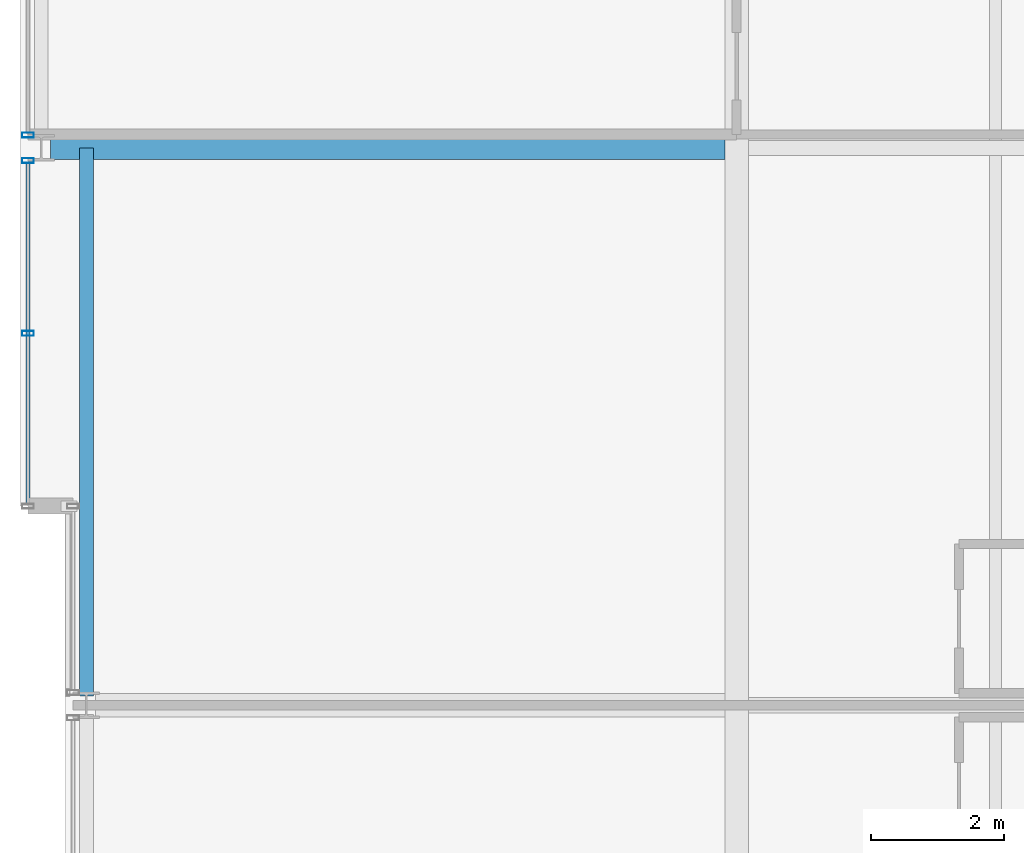
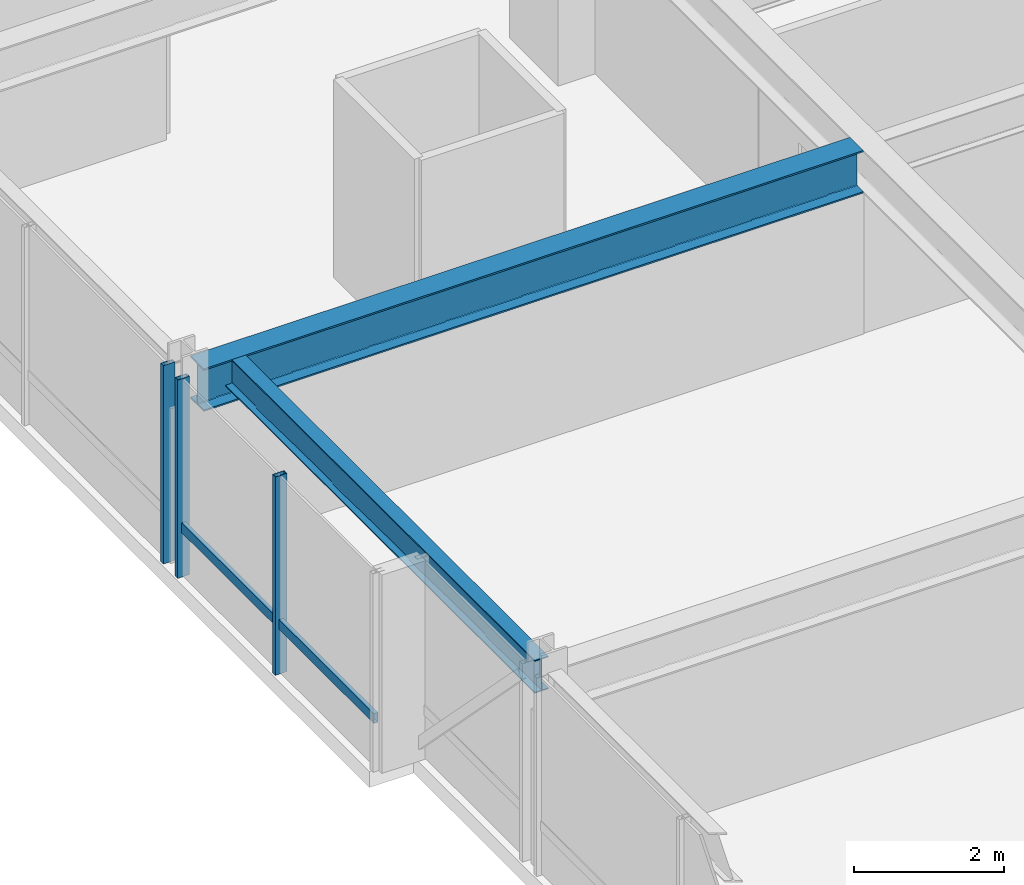
# One storey, part 16 of 33: 4 members, 2 beams, 2 elements without a shape of their own.
"""IFC4 building model written with IfcOpenShell, lengths in metres."""

import ifcopenshell
import ifcopenshell.guid

model = None  # the IFC model being written
_history = None  # IfcOwnerHistory: only IFC2X3 demands one
_inside = {}  # id of a spatial element -> (the spatial element, [elements in it])
_under = {}  # id of a project, library or spatial element -> (it, [spatial elements below it])
_declared = {}  # id of a project -> (the project, [libraries it declares])
_typed = {}  # id of a type object -> (the type object, [elements of that type])
_made_of = {}  # id of a material, layer set ... -> (it, [elements and type objects made of it])


def new_model(schema):
    """Start an empty IFC model of exactly this schema.

    Asked for "IFC4X3", IfcOpenShell would pick the latest addendum, in which some entities
    have other attributes; the version numbers below select the first issue.
    IFC2X3 requires an IfcOwnerHistory on every rooted entity: one is made here for all.
    """
    global model, _history
    if schema == "IFC4X3":
        model = ifcopenshell.file(schema_version=(4, 3, 0, 0))
    else:
        model = ifcopenshell.file(schema=schema)
    _inside.clear()
    _under.clear()
    _declared.clear()
    _typed.clear()
    _made_of.clear()
    _history = None
    if model.schema == "IFC2X3":
        org = make("IfcOrganization", Name="unknown")
        user = make(
            "IfcPersonAndOrganization",
            ThePerson=make("IfcPerson", FamilyName="unknown"),
            TheOrganization=org,
        )
        app = make(
            "IfcApplication",
            ApplicationDeveloper=org,
            Version="unknown",
            ApplicationFullName="unknown",
            ApplicationIdentifier="unknown",
        )
        _history = make(
            "IfcOwnerHistory",
            OwningUser=user,
            OwningApplication=app,
            ChangeAction="ADDED",
            CreationDate=0,
        )
    return model


def make(cls, **values):
    """One entity of the class cls with the attributes given. An attribute that is None is left unset."""
    return model.create_entity(
        cls, **{name: value for name, value in values.items() if value is not None}
    )


def rooted(cls, **values):
    """An entity with a GlobalId (a new one), such as an element, a storey or a relation."""
    return make(cls, GlobalId=ifcopenshell.guid.new(), OwnerHistory=_history, **values)


def si_unit(unit_type, name, prefix=None):
    """IfcSIUnit, for example si_unit("LENGTHUNIT", "METRE", prefix="MILLI")."""
    return make("IfcSIUnit", UnitType=unit_type, Prefix=prefix, Name=name)


def assignment(units):
    """IfcUnitAssignment: the units of a project."""
    return None if units is None else make("IfcUnitAssignment", Units=units)


def point(xyz):
    """IfcCartesianPoint."""
    return None if xyz is None else make("IfcCartesianPoint", Coordinates=xyz)


def direction(xyz):
    """IfcDirection."""
    return None if xyz is None else make("IfcDirection", DirectionRatios=xyz)


def frame(location, z_axis=None, x_axis=None):
    """IfcAxis2Placement3D, a coordinate frame: its origin and axes. An axis left out is left unset."""
    return make(
        "IfcAxis2Placement3D",
        Location=point(location),
        Axis=direction(z_axis),
        RefDirection=direction(x_axis),
    )


def frame_2d(location, x_axis=None):
    """IfcAxis2Placement2D, a coordinate frame in the plane: its origin and x axis."""
    return make(
        "IfcAxis2Placement2D", Location=point(location), RefDirection=direction(x_axis)
    )


def origin():
    """The frame at (0, 0, 0) with its axes left unset."""
    return frame((0.0, 0.0, 0.0))


def origin_2d():
    """The frame at (0, 0) in the plane with its x axis left unset."""
    return frame_2d((0.0, 0.0))


def place(relative_to, where):
    """IfcLocalPlacement: puts the frame where relative to a parent placement (None: the world)."""
    return make(
        "IfcLocalPlacement", PlacementRelTo=relative_to, RelativePlacement=where
    )


def context(
    kind, dimensions, precision=None, world=None, true_north=None, identifier=None
):
    """IfcGeometricRepresentationContext, for example the 3D "Model" context."""
    return make(
        "IfcGeometricRepresentationContext",
        ContextIdentifier=identifier,
        ContextType=kind,
        CoordinateSpaceDimension=dimensions,
        Precision=precision,
        WorldCoordinateSystem=world,
        TrueNorth=true_north,
    )


def subcontext(parent, identifier, kind, view, scale=None):
    """IfcGeometricRepresentationSubContext, for example "Body" below "Model"."""
    return make(
        "IfcGeometricRepresentationSubContext",
        ContextIdentifier=identifier,
        ContextType=kind,
        ParentContext=parent,
        TargetScale=scale,
        TargetView=view,
    )


def project(units=None, contexts=None):
    """IfcProject with its units and contexts."""
    return rooted(
        "IfcProject",
        Name="project",
        RepresentationContexts=contexts,
        UnitsInContext=assignment(units),
    )


def spatial(cls, under=None, at=None, **own):
    """A site, building, storey or space (cls), placed at a placement, below another one or the project."""
    s = rooted(cls, ObjectPlacement=at, **own)
    if under is not None:
        _under.setdefault(under.id(), (under, []))[1].append(s)
    return s


def profile(cls, at=None, kind="AREA", **sizes):
    """A parametric profile (cls). Its sizes go by their IFC names, for example OverallWidth=200.0."""
    return make(cls, ProfileType=kind, Position=at, **sizes)


def hollow_rectangle(**sizes):
    """IfcRectangleHollowProfileDef."""
    return profile("IfcRectangleHollowProfileDef", **sizes)


def i_section(**sizes):
    """IfcIShapeProfileDef."""
    return profile("IfcIShapeProfileDef", **sizes)


def extrude(swept, where, along, depth):
    """IfcExtrudedAreaSolid: the profile swept, set in the frame where, extruded along a direction by depth."""
    return make(
        "IfcExtrudedAreaSolid",
        SweptArea=swept,
        Position=where,
        ExtrudedDirection=direction(along),
        Depth=depth,
    )


def shape(context_of_items, identifier, shape_type, items):
    """IfcShapeRepresentation: the items that make up one representation, for example the "Body"."""
    return make(
        "IfcShapeRepresentation",
        ContextOfItems=context_of_items,
        RepresentationIdentifier=identifier,
        RepresentationType=shape_type,
        Items=items,
    )


def material(Name=None, Category=None):
    """IfcMaterial."""
    return make("IfcMaterial", Name=Name, Category=Category)


def layer(
    of_material, thickness, ventilated=None, Name=None, Category=None, Priority=None
):
    """IfcMaterialLayer: one layer of a wall or slab, of a material (None: an air gap)."""
    return make(
        "IfcMaterialLayer",
        Material=of_material,
        LayerThickness=thickness,
        IsVentilated=ventilated,
        Name=Name,
        Category=Category,
        Priority=Priority,
    )


def layer_set(layers, Name=None):
    """IfcMaterialLayerSet."""
    return make("IfcMaterialLayerSet", MaterialLayers=layers, LayerSetName=Name)


def material_profile(
    of_material, cross_section, Name=None, Category=None, Priority=None
):
    """IfcMaterialProfile: a cross section and its material."""
    return make(
        "IfcMaterialProfile",
        Name=Name,
        Material=of_material,
        Profile=cross_section,
        Priority=Priority,
        Category=Category,
    )


def profile_set(profiles, Name=None, composite=None):
    """IfcMaterialProfileSet."""
    return make(
        "IfcMaterialProfileSet",
        Name=Name,
        MaterialProfiles=profiles,
        CompositeProfile=composite,
    )


def made_of(thing, what):
    """Note that an element or type object is made of a material, layer set ...; save() writes the relation."""
    if what is not None:
        _made_of.setdefault(what.id(), (what, []))[1].append(thing)
    return thing


def type_object(cls, material=None, **own):
    """A type object (cls), such as IfcWallType, which elements share."""
    return made_of(rooted(cls, **own), material)


def element(
    cls,
    number,
    at=None,
    inside=None,
    cuts=None,
    type_object=None,
    material=None,
    context=None,
    identifier="Body",
    shape_type=None,
    held_by="IfcProductDefinitionShape",
    body=None,
    shapes=None,
    **own,
):
    """One element of the class cls, such as IfcWall. Its Tag is "e" and its number.

    at: its placement. inside: the storey or other place that contains it. cuts: it is an
    opening in that element (IfcRelVoidsElement). A single representation is given by context,
    identifier, shape_type and body (its items); several are given by shapes. held_by: the class
    of the entity that holds the representations. save() writes the other relations.
    """
    e = rooted(cls, Tag="e%d" % number, ObjectPlacement=at, **own)
    if body is not None:
        shapes = [shape(context, identifier, shape_type, body)]
    if shapes is not None:
        e.Representation = make(held_by, Representations=shapes)
    if inside is not None:
        _inside.setdefault(inside.id(), (inside, []))[1].append(e)
    if cuts is not None:
        rooted(
            "IfcRelVoidsElement", RelatingBuildingElement=cuts, RelatedOpeningElement=e
        )
    if type_object is not None:
        _typed.setdefault(type_object.id(), (type_object, []))[1].append(e)
    return made_of(e, material)


def aggregate(whole, parts):
    """IfcRelAggregates: a whole, such as a stair, and the parts it consists of."""
    return rooted("IfcRelAggregates", RelatingObject=whole, RelatedObjects=parts)


def save(model, path):
    """Write the relations noted so far, then the file.

    IfcRelAggregates (storeys below a building ...), IfcRelContainedInSpatialStructure (elements
    in a storey), IfcRelDefinesByType, IfcRelAssociatesMaterial and IfcRelDeclares: one each for
    every whole, place, type object, material and project.
    """
    for whole, parts in _under.values():
        aggregate(whole, parts)
    for where, things in _inside.values():
        rooted(
            "IfcRelContainedInSpatialStructure",
            RelatedElements=things,
            RelatingStructure=where,
        )
    for kind, things in _typed.values():
        rooted("IfcRelDefinesByType", RelatedObjects=things, RelatingType=kind)
    for what, things in _made_of.values():
        rooted("IfcRelAssociatesMaterial", RelatedObjects=things, RelatingMaterial=what)
    for by, libraries in _declared.values():
        rooted("IfcRelDeclares", RelatingContext=by, RelatedDefinitions=libraries)
    model.write(path)


model = new_model("IFC4")

# Units and contexts
model_context = context("Model", 3, precision=1e-05, world=origin(), true_north=direction((0.0, 1.0)))
body_context = subcontext(model_context, "Body", "Model", "MODEL_VIEW")
ifc_project = project(units=[si_unit("LENGTHUNIT", "METRE"), si_unit("AREAUNIT", "SQUARE_METRE"), si_unit("VOLUMEUNIT", "CUBIC_METRE"), si_unit("PLANEANGLEUNIT", "RADIAN"), si_unit("MASSUNIT", "GRAM", prefix="KILO")], contexts=[model_context])

# Site, building, storey
site_placement = place(None, origin())
site = spatial("IfcSite", under=ifc_project, at=site_placement, CompositionType="ELEMENT")
building_placement = place(site_placement, origin())
building = spatial("IfcBuilding", under=site, at=building_placement, Name="Drelvath Grand Hotel", CompositionType="ELEMENT")
storey_placement = place(building_placement, frame((0.0, 0.0, 196.550048828125)))
storey = spatial("IfcBuildingStorey", under=building, at=storey_placement, Name="L51", CompositionType="ELEMENT", Elevation=196.550048828125)

# Curtain wall, members
ifc_material_1 = material(Name="Brushed Pale-Silver Anodised Aluminium Frame", Category="aluminium")
ifc_layer = layer(ifc_material_1, 0.199951171875)
ifc_layer_set = layer_set([ifc_layer], Name="Brushed Pale-Silver Anodised Aluminium Frame")
curtain_wall_type = type_object("IfcCurtainWallType", Name="Stick Curtain Wall CW-04 Brushed Silver Upper-Mid", PredefinedType="NOTDEFINED", material=ifc_layer_set)
curtain_wall_1_placement = place(storey_placement, origin())
curtain_wall_1 = element("IfcCurtainWall", 1, at=curtain_wall_1_placement, inside=storey, type_object=curtain_wall_type, Name="L51 CW-04 Curtain Wall CW04-L51-WN1", PredefinedType="NOTDEFINED")
ifc_material_profile_1 = material_profile(ifc_material_1, hollow_rectangle(XDim=0.06494140625, YDim=0.159912109375, WallThickness=0.00390625, at=origin_2d()), Name="HSS160X65X4")
ifc_profile_set_1 = profile_set([ifc_material_profile_1], Name="Brushed Pale-Silver Anodised Aluminium Frame")
member_type_1 = type_object("IfcMemberType", Name="Curtain Wall Horizontal Transom CW-04 HSS160X65X4", PredefinedType="USERDEFINED", material=ifc_profile_set_1)
member_1_placement = place(storey_placement, frame((-26.8798828125, 30.0400390625, 0.807373046875), z_axis=(0.0, 1.0, 0.0), x_axis=(-1.0, 0.0, 0.0)))
member_1 = element("IfcMember", 2, at=member_1_placement, type_object=member_type_1, Name="CW04-L51-WN1 Sill Transom", ObjectType="TRANSOM", PredefinedType="USERDEFINED", context=body_context, shape_type="SweptSolid", body=[
    extrude(hollow_rectangle(XDim=0.06494140625, YDim=0.159912109375, WallThickness=0.00390625, at=origin_2d()), origin(), (0.0, 0.0, 1.0), 5.12841796875),
])
ifc_material_profile_2 = material_profile(ifc_material_1, hollow_rectangle(XDim=0.074951171875, YDim=0.179931640625, WallThickness=0.0048828125, at=origin_2d()), Name="HSS180X75X5")
ifc_profile_set_2 = profile_set([ifc_material_profile_2], Name="Brushed Pale-Silver Anodised Aluminium Frame")
member_type_2 = type_object("IfcMemberType", Name="Curtain Wall Vertical Mullion CW-04 HSS180X75X5", PredefinedType="MULLION", material=ifc_profile_set_2)
member_2_placement = place(storey_placement, frame((-26.8798828125, 32.604248046875, 0.0), z_axis=(0.0, 0.0, 1.0), x_axis=(0.0, 1.0, 0.0)))
member_2 = element("IfcMember", 3, at=member_2_placement, type_object=member_type_2, Name="CW04-L51-WN1 Mullion 2", PredefinedType="MULLION", context=body_context, shape_type="SweptSolid", body=[
    extrude(hollow_rectangle(XDim=0.074951171875, YDim=0.179931640625, WallThickness=0.0048828125, at=origin_2d()), origin(), (0.0, 0.0, 1.0), 3.22998046875),
])
member_3_placement = place(storey_placement, frame((-26.8798828125, 35.20849609375, 0.0), z_axis=(0.0, 0.0, 1.0), x_axis=(0.0, 1.0, 0.0)))
member_3 = element("IfcMember", 4, at=member_3_placement, type_object=member_type_2, Name="CW04-L51-WN1 Mullion 3", PredefinedType="MULLION", context=body_context, shape_type="SweptSolid", body=[
    extrude(hollow_rectangle(XDim=0.074951171875, YDim=0.179931640625, WallThickness=0.0048828125, at=origin_2d()), origin(), (0.0, 0.0, 1.0), 3.22998046875),
])
aggregate(curtain_wall_1, [member_2, member_3, member_1])

# Curtain wall, member
curtain_wall_2_placement = place(storey_placement, origin())
curtain_wall_2 = element("IfcCurtainWall", 5, at=curtain_wall_2_placement, inside=storey, type_object=curtain_wall_type, Name="L51 CW-04 Curtain Wall CW04-L51-WN2", PredefinedType="NOTDEFINED")
member_4_placement = place(storey_placement, frame((-26.8798828125, 35.591552734375, 0.0), z_axis=(0.0, 0.0, 1.0), x_axis=(0.0, 1.0, 0.0)))
member_4 = element("IfcMember", 6, at=member_4_placement, type_object=member_type_2, Name="CW04-L51-WN2 Mullion 1", PredefinedType="MULLION", context=body_context, shape_type="SweptSolid", body=[
    extrude(hollow_rectangle(XDim=0.074951171875, YDim=0.179931640625, WallThickness=0.0048828125, at=origin_2d()), origin(), (0.0, 0.0, 1.0), 3.22998046875),
])
aggregate(curtain_wall_2, [member_4])

# Beams
ifc_material_2 = material(Name="Steel ASTM A992 Gr 50", Category="steel")
ifc_material_profile_3 = material_profile(ifc_material_2, i_section(OverallWidth=0.210205078125, OverallDepth=0.53662109375, WebThickness=0.010986328125, FlangeThickness=0.017333984375, FilletRadius=0.01806640625, at=origin_2d()), Name="W21X68")
ifc_profile_set_3 = profile_set([ifc_material_profile_3], Name="Steel ASTM A992 Gr 50")
beam_type_1 = type_object("IfcBeamType", Name="Perimeter Spandrel Beam W21X68", PredefinedType="SPANDREL", material=ifc_profile_set_3)
beam_1_placement = place(storey_placement, frame((-26.0, 27.139892578125, 2.961669921875), z_axis=(0.0, 1.0, 0.0), x_axis=(-1.0, 0.0, 0.0)))
element("IfcBeam", 7, at=beam_1_placement, inside=storey, type_object=beam_type_1, Name="L51 Spandrel West Mid N", PredefinedType="SPANDREL", context=body_context, shape_type="SweptSolid", body=[
    extrude(i_section(OverallWidth=0.210205078125, OverallDepth=0.53662109375, WebThickness=0.010986328125, FlangeThickness=0.017333984375, FilletRadius=0.01806640625, at=origin_2d()), origin(), (0.0, 0.0, 1.0), 8.260009765625),
])
ifc_material_profile_4 = material_profile(ifc_material_2, i_section(OverallWidth=0.354736328125, OverallDepth=0.695556640625, WebThickness=0.015380859375, FlangeThickness=0.025146484375, FilletRadius=0.02392578125, at=origin_2d()), Name="W27X146")
ifc_profile_set_4 = profile_set([ifc_material_profile_4], Name="Steel ASTM A992 Gr 50")
beam_type_2 = type_object("IfcBeamType", Name="Primary Floor Girder W27X146", PredefinedType="BEAM", material=ifc_profile_set_4)
beam_2_placement = place(storey_placement, frame((-26.5400390625, 35.39990234375, 2.88232421875), z_axis=(1.0, 0.0, 0.0), x_axis=(0.0, 1.0, 0.0)))
element("IfcBeam", 8, at=beam_2_placement, inside=storey, type_object=beam_type_2, Name="L51 West Wing Girder F", PredefinedType="BEAM", context=body_context, shape_type="SweptSolid", body=[
    extrude(i_section(OverallWidth=0.354736328125, OverallDepth=0.695556640625, WebThickness=0.015380859375, FlangeThickness=0.025146484375, FilletRadius=0.02392578125, at=origin_2d()), origin(), (0.0, 0.0, 1.0), 10.16259765625),
])

save(model, "model.ifc")
